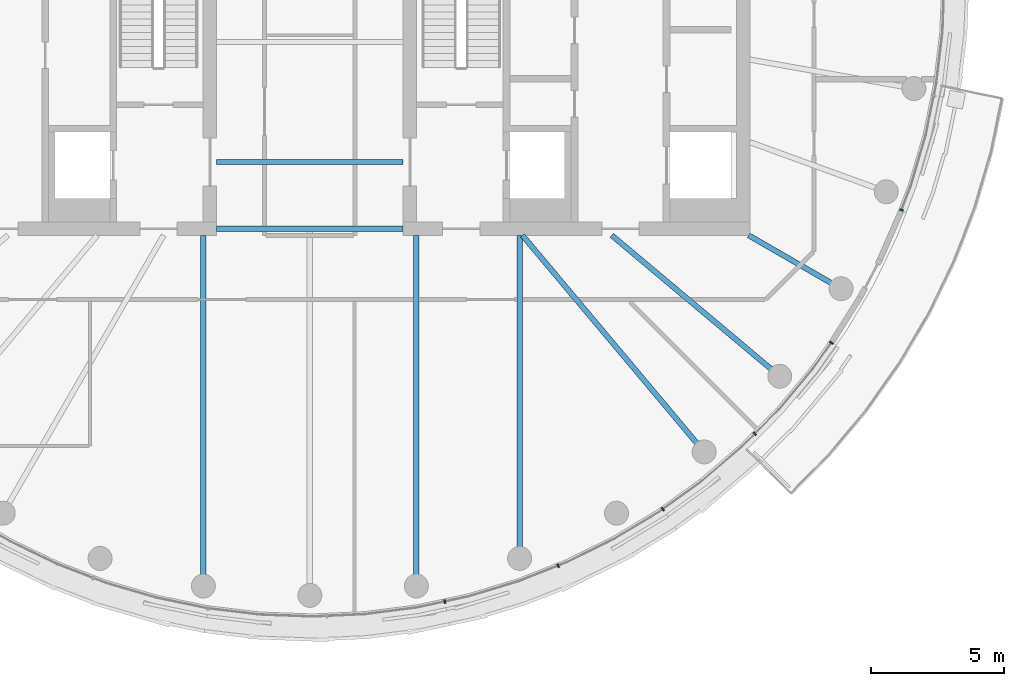
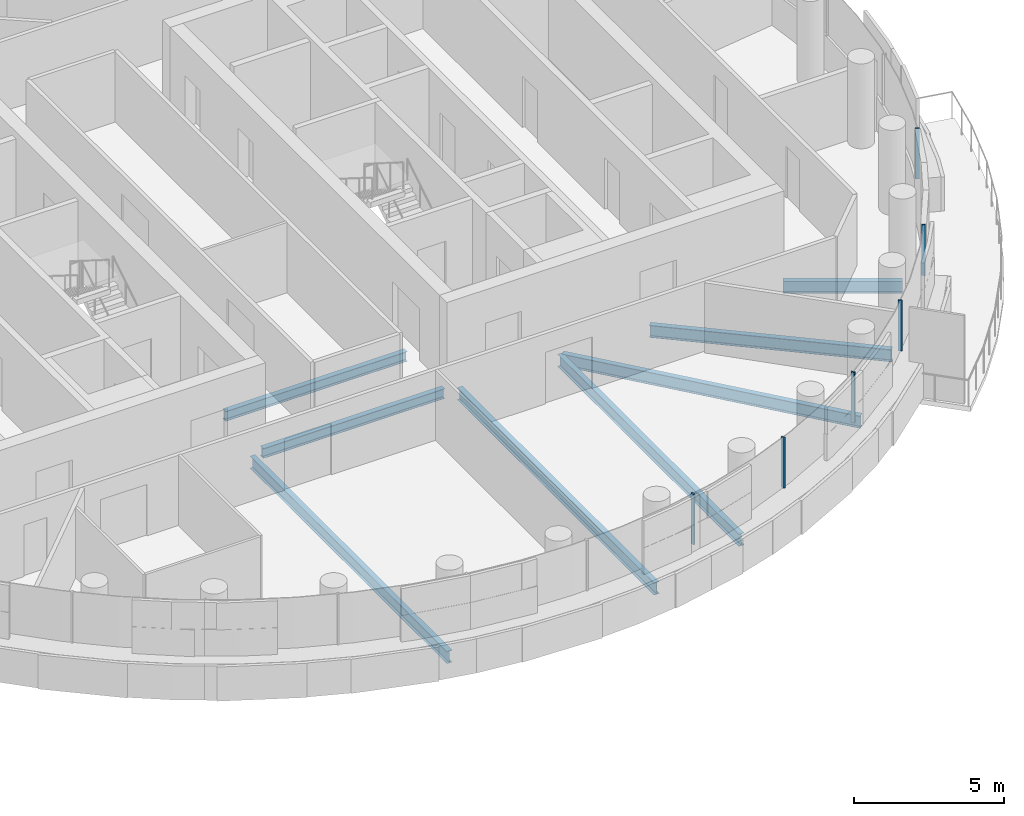
# One storey, part 8 of 27: 8 beams, 6 members, 1 element without a shape of its own.
"""IFC4 building model written with IfcOpenShell, lengths in metres."""

from ifc_helpers import new_model, si_unit, direction, frame, origin, origin_2d, place, context, subcontext, project, spatial, rectangle, i_section, extrude, material, layer, layer_set, material_profile, profile_set, type_object, element, aggregate, save


model = new_model("IFC4")

# Units and contexts
model_context = context("Model", 3, precision=1e-05, world=origin(), true_north=direction((0.0, 1.0)))
body_context = subcontext(model_context, "Body", "Model", "MODEL_VIEW")
ifc_project = project(units=[si_unit("LENGTHUNIT", "METRE"), si_unit("AREAUNIT", "SQUARE_METRE"), si_unit("VOLUMEUNIT", "CUBIC_METRE"), si_unit("PLANEANGLEUNIT", "RADIAN"), si_unit("MASSUNIT", "GRAM", prefix="KILO")], contexts=[model_context])

# Site, building, storey
site_placement = place(None, origin())
site = spatial("IfcSite", under=ifc_project, at=site_placement, CompositionType="ELEMENT")
building_placement = place(site_placement, origin())
building = spatial("IfcBuilding", under=site, at=building_placement, Name="Tamarind Cross Interchange Tower", CompositionType="ELEMENT")
storey_placement = place(building_placement, frame((0.0, 0.0, 227.10009765625)))
storey = spatial("IfcBuildingStorey", under=building, at=storey_placement, Name="L57", CompositionType="ELEMENT", Elevation=227.10009765625)

# Beams
ifc_material_1 = material(Name="Steel Q355B", Category="steel")
ifc_material_profile_1 = material_profile(ifc_material_1, i_section(OverallWidth=0.199951171875, OverallDepth=0.39990234375, WebThickness=0.008056640625, FlangeThickness=0.012939453125, FilletRadius=0.01611328125, at=origin_2d()), Name="HN 400x200x8x13")
ifc_profile_set_1 = profile_set([ifc_material_profile_1], Name="Steel Q355B")
beam_type_1 = type_object("IfcBeamType", Name="Composite beam HN 400x200x8x13 Q355B", PredefinedType="BEAM", material=ifc_profile_set_1)
for number, where, z_axis, x_axis, name in (
    (1, (-3.5, -6.75, -0.340087890625), (1.0, 0.0, 0.0), (0.0, 1.0, 0.0), "Beam G-6.75"),
    (2, (-3.5, -9.25, -0.340087890625), (1.0, 0.0, 0.0), (0.0, 1.0, 0.0), "Beam G-9.25"),
):
    element("IfcBeam", number, at=place(storey_placement, frame(where, z_axis=z_axis, x_axis=x_axis)), inside=storey, type_object=beam_type_1, Name=name, PredefinedType="BEAM", context=body_context, shape_type="SweptSolid", body=[
        extrude(i_section(OverallWidth=0.199951171875, OverallDepth=0.39990234375, WebThickness=0.008056640625, FlangeThickness=0.012939453125, FilletRadius=0.01611328125, at=origin_2d()), origin(), (0.0, 0.0, 1.0), 7.0),
    ])
ifc_material_profile_2 = material_profile(ifc_material_1, i_section(OverallWidth=0.198974609375, OverallDepth=0.49609375, WebThickness=0.009033203125, FlangeThickness=0.013916015625, FilletRadius=0.012939453125, at=origin_2d()), Name="HN 496x199x9x14")
ifc_profile_set_2 = profile_set([ifc_material_profile_2], Name="Steel Q355B")
beam_type_2 = type_object("IfcBeamType", Name="Composite beam HN 496x199x9x14 Q355B", PredefinedType="BEAM", material=ifc_profile_set_2)
for number, where, z_axis, x_axis, name in (
    (3, (-3.993896484375, -22.650634765625, -0.38818359375), (0.0, 1.0, 0.0), (-1.0, 0.0, 0.0), "Beam HH26"),
    (4, (3.993896484375, -22.650634765625, -0.38818359375), (0.0, 1.0, 0.0), (-1.0, 0.0, 0.0), "Beam HH28"),
):
    element("IfcBeam", number, at=place(storey_placement, frame(where, z_axis=z_axis, x_axis=x_axis)), inside=storey, type_object=beam_type_2, Name=name, PredefinedType="BEAM", context=body_context, shape_type="SweptSolid", body=[
        extrude(i_section(OverallWidth=0.198974609375, OverallDepth=0.49609375, WebThickness=0.009033203125, FlangeThickness=0.013916015625, FilletRadius=0.012939453125, at=origin_2d()), origin(), (0.0, 0.0, 1.0), 13.150634765625),
    ])
beam_1_placement = place(storey_placement, frame((7.866455078125, -21.613037109375, -0.38818359375), z_axis=(0.0, 1.0, 0.0), x_axis=(-1.0, 0.0, 0.0)))
element("IfcBeam", 5, at=beam_1_placement, inside=storey, type_object=beam_type_2, Name="Beam HH29", PredefinedType="BEAM", context=body_context, shape_type="SweptSolid", body=[
    extrude(i_section(OverallWidth=0.198974609375, OverallDepth=0.49609375, WebThickness=0.009033203125, FlangeThickness=0.013916015625, FilletRadius=0.012939453125, at=origin_2d()), origin(), (0.0, 0.0, 1.0), 12.113037109375),
])
beam_2_placement = place(storey_placement, frame((14.7841796875, -17.619140625, -0.38818359375), z_axis=(-0.642786293979, 0.766045547127, 0.0), x_axis=(-0.766045547127, -0.642786293979, 0.0)))
element("IfcBeam", 6, at=beam_2_placement, inside=storey, type_object=beam_type_2, Name="Beam HH31", PredefinedType="BEAM", context=body_context, shape_type="SweptSolid", body=[
    extrude(i_section(OverallWidth=0.198974609375, OverallDepth=0.49609375, WebThickness=0.009033203125, FlangeThickness=0.013916015625, FilletRadius=0.012939453125, at=origin_2d()), origin(), (0.0, 0.0, 1.0), 10.598876953125),
])
beam_3_placement = place(storey_placement, frame((17.619140625, -14.7841796875, -0.38818359375), z_axis=(-0.766040580814, 0.642792212574, 0.0), x_axis=(-0.642792212574, -0.766040580814, 0.0)))
element("IfcBeam", 7, at=beam_3_placement, inside=storey, type_object=beam_type_2, Name="Beam HH32", PredefinedType="BEAM", context=body_context, shape_type="SweptSolid", body=[
    extrude(i_section(OverallWidth=0.198974609375, OverallDepth=0.49609375, WebThickness=0.009033203125, FlangeThickness=0.013916015625, FilletRadius=0.012939453125, at=origin_2d()), origin(), (0.0, 0.0, 1.0), 8.220703125),
])
beam_4_placement = place(storey_placement, frame((19.918701171875, -11.5, -0.38818359375), z_axis=(-0.866026010844, 0.49999894854, 0.0), x_axis=(-0.49999894854, -0.866026010844, 0.0)))
element("IfcBeam", 8, at=beam_4_placement, inside=storey, type_object=beam_type_2, Name="Beam HH33", PredefinedType="BEAM", context=body_context, shape_type="SweptSolid", body=[
    extrude(i_section(OverallWidth=0.198974609375, OverallDepth=0.49609375, WebThickness=0.009033203125, FlangeThickness=0.013916015625, FilletRadius=0.012939453125, at=origin_2d()), origin(), (0.0, 0.0, 1.0), 4.0),
])

# Curtain wall, members
ifc_material_2 = material(Name="Aluminium 6063-T6", Category="aluminium")
ifc_layer = layer(ifc_material_2, 0.139892578125)
ifc_layer_set = layer_set([ifc_layer], Name="Aluminium 6063-T6")
curtain_wall_type = type_object("IfcCurtainWallType", Name="Hotel curtain wall, 4.5 m bays", PredefinedType="NOTDEFINED", material=ifc_layer_set)
curtain_wall_placement = place(storey_placement, origin())
curtain_wall = element("IfcCurtainWall", 9, at=curtain_wall_placement, inside=storey, type_object=curtain_wall_type, Name="CWS-L57-02", PredefinedType="NOTDEFINED")
ifc_material_profile_3 = material_profile(ifc_material_2, rectangle(XDim=0.06005859375, YDim=0.139892578125, at=origin_2d()), Name="Mullion CW2")
ifc_profile_set_3 = profile_set([ifc_material_profile_3], Name="Aluminium 6063-T6")
member_type = type_object("IfcMemberType", Name="Mullion CW2", PredefinedType="MULLION", material=ifc_profile_set_3)
member_1_placement = place(storey_placement, frame((5.061279296875, -23.230712890625, 1.39990234375), z_axis=(0.0, 0.0, 1.0), x_axis=(0.977824623121, 0.209425419705, 0.0)))
member_1 = element("IfcMember", 10, at=member_1_placement, type_object=member_type, Name="CWM-L57-02-07", PredefinedType="MULLION", context=body_context, shape_type="SweptSolid", body=[
    extrude(rectangle(XDim=0.06005859375, YDim=0.139892578125, at=origin_2d()), origin(), (0.0, 0.0, 1.0), 2.06005859375),
])
member_2_placement = place(storey_placement, frame((9.3125, -21.884521484375, 1.39990234375), z_axis=(0.0, 0.0, 1.0), x_axis=(0.930018078613, 0.367513773146, 0.0)))
member_2 = element("IfcMember", 11, at=member_2_placement, type_object=member_type, Name="CWM-L57-02-08", PredefinedType="MULLION", context=body_context, shape_type="SweptSolid", body=[
    extrude(rectangle(XDim=0.06005859375, YDim=0.139892578125, at=origin_2d()), origin(), (0.0, 0.0, 1.0), 2.06005859375),
])
member_3_placement = place(storey_placement, frame((13.236572265625, -19.766845703125, 1.39990234375), z_axis=(0.0, 0.0, 1.0), x_axis=(0.811340475102, 0.584573890505, 0.0)))
member_3 = element("IfcMember", 12, at=member_3_placement, type_object=member_type, Name="CWM-L57-02-09", PredefinedType="MULLION", context=body_context, shape_type="SweptSolid", body=[
    extrude(rectangle(XDim=0.06005859375, YDim=0.139892578125, at=origin_2d()), origin(), (0.0, 0.0, 1.0), 2.06005859375),
])
member_4_placement = place(storey_placement, frame((16.685302734375, -16.939697265625, 1.39990234375), z_axis=(0.0, 0.0, 1.0), x_axis=(0.704057148523, 0.710143317658, 0.0)))
member_4 = element("IfcMember", 13, at=member_4_placement, type_object=member_type, Name="CWM-L57-02-10", PredefinedType="MULLION", context=body_context, shape_type="SweptSolid", body=[
    extrude(rectangle(XDim=0.06005859375, YDim=0.139892578125, at=origin_2d()), origin(), (0.0, 0.0, 1.0), 2.06005859375),
])
member_5_placement = place(storey_placement, frame((19.55419921875, -13.526611328125, 1.39990234375), z_axis=(0.0, 0.0, 1.0), x_axis=(0.577568978284, 0.816341886298, 0.0)))
member_5 = element("IfcMember", 14, at=member_5_placement, type_object=member_type, Name="CWM-L57-02-11", PredefinedType="MULLION", context=body_context, shape_type="SweptSolid", body=[
    extrude(rectangle(XDim=0.06005859375, YDim=0.139892578125, at=origin_2d()), origin(), (0.0, 0.0, 1.0), 2.06005859375),
])
member_6_placement = place(storey_placement, frame((22.185546875, -8.548095703125, 1.39990234375), z_axis=(0.0, 0.0, 1.0), x_axis=(0.359495435512, 0.933146843667, 0.0)))
member_6 = element("IfcMember", 15, at=member_6_placement, type_object=member_type, Name="CWM-L57-02-12", PredefinedType="MULLION", context=body_context, shape_type="SweptSolid", body=[
    extrude(rectangle(XDim=0.06005859375, YDim=0.139892578125, at=origin_2d()), origin(), (0.0, 0.0, 1.0), 2.06005859375),
])
aggregate(curtain_wall, [member_1, member_2, member_3, member_4, member_5, member_6])

save(model, "model.ifc")
